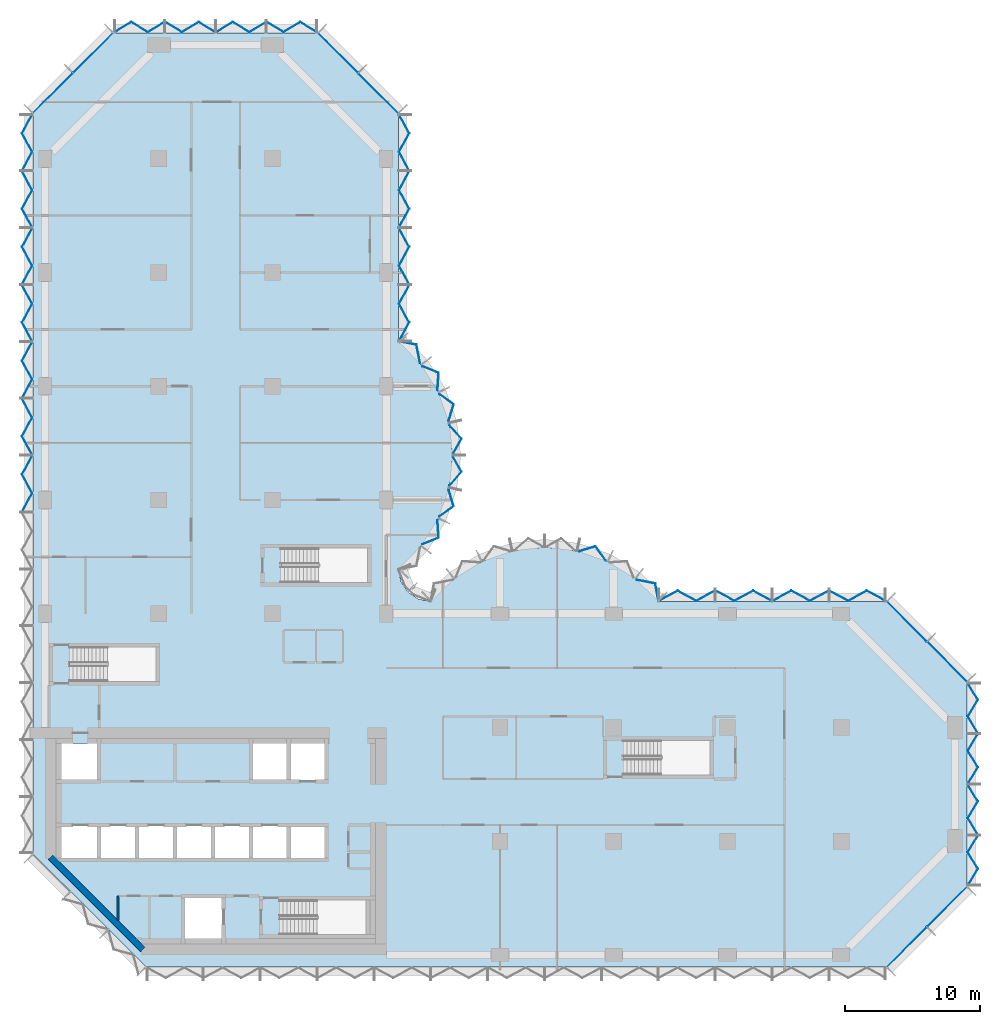
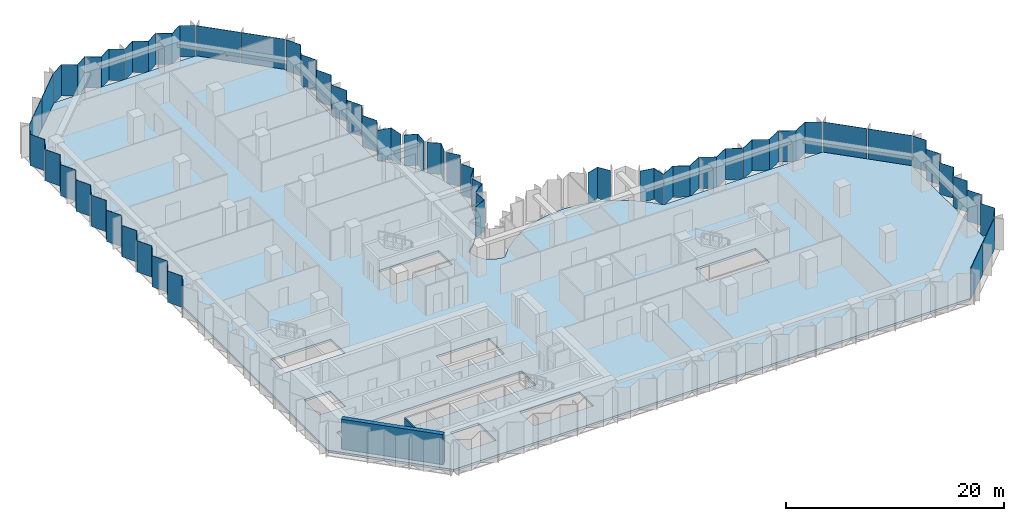
# One storey, part 6 of 13: 40 plates, 2 walls, 1 slab, 11 elements without a shape of their own.
"""IFC4 building model written with IfcOpenShell, lengths in metres."""

import ifcopenshell
import ifcopenshell.guid

model = None  # the IFC model being written
_history = None  # IfcOwnerHistory: only IFC2X3 demands one
_inside = {}  # id of a spatial element -> (the spatial element, [elements in it])
_under = {}  # id of a project, library or spatial element -> (it, [spatial elements below it])
_declared = {}  # id of a project -> (the project, [libraries it declares])
_typed = {}  # id of a type object -> (the type object, [elements of that type])
_made_of = {}  # id of a material, layer set ... -> (it, [elements and type objects made of it])


def new_model(schema):
    """Start an empty IFC model of exactly this schema.

    Asked for "IFC4X3", IfcOpenShell would pick the latest addendum, in which some entities
    have other attributes; the version numbers below select the first issue.
    IFC2X3 requires an IfcOwnerHistory on every rooted entity: one is made here for all.
    """
    global model, _history
    if schema == "IFC4X3":
        model = ifcopenshell.file(schema_version=(4, 3, 0, 0))
    else:
        model = ifcopenshell.file(schema=schema)
    _inside.clear()
    _under.clear()
    _declared.clear()
    _typed.clear()
    _made_of.clear()
    _history = None
    if model.schema == "IFC2X3":
        org = make("IfcOrganization", Name="unknown")
        user = make(
            "IfcPersonAndOrganization",
            ThePerson=make("IfcPerson", FamilyName="unknown"),
            TheOrganization=org,
        )
        app = make(
            "IfcApplication",
            ApplicationDeveloper=org,
            Version="unknown",
            ApplicationFullName="unknown",
            ApplicationIdentifier="unknown",
        )
        _history = make(
            "IfcOwnerHistory",
            OwningUser=user,
            OwningApplication=app,
            ChangeAction="ADDED",
            CreationDate=0,
        )
    return model


def make(cls, **values):
    """One entity of the class cls with the attributes given. An attribute that is None is left unset."""
    return model.create_entity(
        cls, **{name: value for name, value in values.items() if value is not None}
    )


def rooted(cls, **values):
    """An entity with a GlobalId (a new one), such as an element, a storey or a relation."""
    return make(cls, GlobalId=ifcopenshell.guid.new(), OwnerHistory=_history, **values)


def si_unit(unit_type, name, prefix=None):
    """IfcSIUnit, for example si_unit("LENGTHUNIT", "METRE", prefix="MILLI")."""
    return make("IfcSIUnit", UnitType=unit_type, Prefix=prefix, Name=name)


def assignment(units):
    """IfcUnitAssignment: the units of a project."""
    return None if units is None else make("IfcUnitAssignment", Units=units)


def point(xyz):
    """IfcCartesianPoint."""
    return None if xyz is None else make("IfcCartesianPoint", Coordinates=xyz)


def direction(xyz):
    """IfcDirection."""
    return None if xyz is None else make("IfcDirection", DirectionRatios=xyz)


def frame(location, z_axis=None, x_axis=None):
    """IfcAxis2Placement3D, a coordinate frame: its origin and axes. An axis left out is left unset."""
    return make(
        "IfcAxis2Placement3D",
        Location=point(location),
        Axis=direction(z_axis),
        RefDirection=direction(x_axis),
    )


def frame_2d(location, x_axis=None):
    """IfcAxis2Placement2D, a coordinate frame in the plane: its origin and x axis."""
    return make(
        "IfcAxis2Placement2D", Location=point(location), RefDirection=direction(x_axis)
    )


def origin():
    """The frame at (0, 0, 0) with its axes left unset."""
    return frame((0.0, 0.0, 0.0))


def place(relative_to, where):
    """IfcLocalPlacement: puts the frame where relative to a parent placement (None: the world)."""
    return make(
        "IfcLocalPlacement", PlacementRelTo=relative_to, RelativePlacement=where
    )


def context(
    kind, dimensions, precision=None, world=None, true_north=None, identifier=None
):
    """IfcGeometricRepresentationContext, for example the 3D "Model" context."""
    return make(
        "IfcGeometricRepresentationContext",
        ContextIdentifier=identifier,
        ContextType=kind,
        CoordinateSpaceDimension=dimensions,
        Precision=precision,
        WorldCoordinateSystem=world,
        TrueNorth=true_north,
    )


def subcontext(parent, identifier, kind, view, scale=None):
    """IfcGeometricRepresentationSubContext, for example "Body" below "Model"."""
    return make(
        "IfcGeometricRepresentationSubContext",
        ContextIdentifier=identifier,
        ContextType=kind,
        ParentContext=parent,
        TargetScale=scale,
        TargetView=view,
    )


def project(units=None, contexts=None):
    """IfcProject with its units and contexts."""
    return rooted(
        "IfcProject",
        Name="project",
        RepresentationContexts=contexts,
        UnitsInContext=assignment(units),
    )


def spatial(cls, under=None, at=None, **own):
    """A site, building, storey or space (cls), placed at a placement, below another one or the project."""
    s = rooted(cls, ObjectPlacement=at, **own)
    if under is not None:
        _under.setdefault(under.id(), (under, []))[1].append(s)
    return s


def polyline(points):
    """IfcPolyline through the points."""
    return make("IfcPolyline", Points=[point(p) for p in points])


def profile(cls, at=None, kind="AREA", **sizes):
    """A parametric profile (cls). Its sizes go by their IFC names, for example OverallWidth=200.0."""
    return make(cls, ProfileType=kind, Position=at, **sizes)


def rectangle(**sizes):
    """IfcRectangleProfileDef."""
    return profile("IfcRectangleProfileDef", **sizes)


def outline(outer, holes=None, kind="AREA"):
    """IfcArbitraryClosedProfileDef: a profile drawn as a closed curve; with holes, ...WithVoids."""
    if holes is None:
        return make("IfcArbitraryClosedProfileDef", ProfileType=kind, OuterCurve=outer)
    return make(
        "IfcArbitraryProfileDefWithVoids",
        ProfileType=kind,
        OuterCurve=outer,
        InnerCurves=holes,
    )


def extrude(swept, where, along, depth):
    """IfcExtrudedAreaSolid: the profile swept, set in the frame where, extruded along a direction by depth."""
    return make(
        "IfcExtrudedAreaSolid",
        SweptArea=swept,
        Position=where,
        ExtrudedDirection=direction(along),
        Depth=depth,
    )


def shape(context_of_items, identifier, shape_type, items):
    """IfcShapeRepresentation: the items that make up one representation, for example the "Body"."""
    return make(
        "IfcShapeRepresentation",
        ContextOfItems=context_of_items,
        RepresentationIdentifier=identifier,
        RepresentationType=shape_type,
        Items=items,
    )


def material(Name=None, Category=None):
    """IfcMaterial."""
    return make("IfcMaterial", Name=Name, Category=Category)


def layer(
    of_material, thickness, ventilated=None, Name=None, Category=None, Priority=None
):
    """IfcMaterialLayer: one layer of a wall or slab, of a material (None: an air gap)."""
    return make(
        "IfcMaterialLayer",
        Material=of_material,
        LayerThickness=thickness,
        IsVentilated=ventilated,
        Name=Name,
        Category=Category,
        Priority=Priority,
    )


def layer_set(layers, Name=None):
    """IfcMaterialLayerSet."""
    return make("IfcMaterialLayerSet", MaterialLayers=layers, LayerSetName=Name)


def made_of(thing, what):
    """Note that an element or type object is made of a material, layer set ...; save() writes the relation."""
    if what is not None:
        _made_of.setdefault(what.id(), (what, []))[1].append(thing)
    return thing


def type_object(cls, material=None, **own):
    """A type object (cls), such as IfcWallType, which elements share."""
    return made_of(rooted(cls, **own), material)


def element(
    cls,
    number,
    at=None,
    inside=None,
    cuts=None,
    type_object=None,
    material=None,
    context=None,
    identifier="Body",
    shape_type=None,
    held_by="IfcProductDefinitionShape",
    body=None,
    shapes=None,
    **own,
):
    """One element of the class cls, such as IfcWall. Its Tag is "e" and its number.

    at: its placement. inside: the storey or other place that contains it. cuts: it is an
    opening in that element (IfcRelVoidsElement). A single representation is given by context,
    identifier, shape_type and body (its items); several are given by shapes. held_by: the class
    of the entity that holds the representations. save() writes the other relations.
    """
    e = rooted(cls, Tag="e%d" % number, ObjectPlacement=at, **own)
    if body is not None:
        shapes = [shape(context, identifier, shape_type, body)]
    if shapes is not None:
        e.Representation = make(held_by, Representations=shapes)
    if inside is not None:
        _inside.setdefault(inside.id(), (inside, []))[1].append(e)
    if cuts is not None:
        rooted(
            "IfcRelVoidsElement", RelatingBuildingElement=cuts, RelatedOpeningElement=e
        )
    if type_object is not None:
        _typed.setdefault(type_object.id(), (type_object, []))[1].append(e)
    return made_of(e, material)


def aggregate(whole, parts):
    """IfcRelAggregates: a whole, such as a stair, and the parts it consists of."""
    return rooted("IfcRelAggregates", RelatingObject=whole, RelatedObjects=parts)


def save(model, path):
    """Write the relations noted so far, then the file.

    IfcRelAggregates (storeys below a building ...), IfcRelContainedInSpatialStructure (elements
    in a storey), IfcRelDefinesByType, IfcRelAssociatesMaterial and IfcRelDeclares: one each for
    every whole, place, type object, material and project.
    """
    for whole, parts in _under.values():
        aggregate(whole, parts)
    for where, things in _inside.values():
        rooted(
            "IfcRelContainedInSpatialStructure",
            RelatedElements=things,
            RelatingStructure=where,
        )
    for kind, things in _typed.values():
        rooted("IfcRelDefinesByType", RelatedObjects=things, RelatingType=kind)
    for what, things in _made_of.values():
        rooted("IfcRelAssociatesMaterial", RelatedObjects=things, RelatingMaterial=what)
    for by, libraries in _declared.values():
        rooted("IfcRelDeclares", RelatingContext=by, RelatedDefinitions=libraries)
    model.write(path)


model = new_model("IFC4")

# Units and contexts
model_context = context("Model", 3, precision=1e-05, world=origin(), true_north=direction((0.0, 1.0)))
body_context = subcontext(model_context, "Body", "Model", "MODEL_VIEW")
ifc_project = project(units=[si_unit("LENGTHUNIT", "METRE"), si_unit("AREAUNIT", "SQUARE_METRE"), si_unit("VOLUMEUNIT", "CUBIC_METRE"), si_unit("PLANEANGLEUNIT", "RADIAN"), si_unit("MASSUNIT", "GRAM", prefix="KILO")], contexts=[model_context])

# Site, building, storey
site_placement = place(None, origin())
site = spatial("IfcSite", under=ifc_project, at=site_placement, CompositionType="ELEMENT")
building_placement = place(site_placement, origin())
building = spatial("IfcBuilding", under=site, at=building_placement, Name="Brevane Broadcast Tower", CompositionType="ELEMENT")
storey_placement = place(building_placement, frame((0.0, 0.0, 98.89990234375)))
storey = spatial("IfcBuildingStorey", under=building, at=storey_placement, Name="L23", CompositionType="ELEMENT", Elevation=98.89990234375)

# Curtain wall, plates
ifc_material_1 = material(Name="Aluminium 6063-T6 bronze anodised", Category="aluminium")
curtain_wall_type = type_object("IfcCurtainWallType", Name="CW-1 curtain wall", PredefinedType="NOTDEFINED", material=ifc_material_1)
curtain_wall_1_placement = place(storey_placement, origin())
curtain_wall_1 = element("IfcCurtainWall", 1, at=curtain_wall_1_placement, inside=storey, type_object=curtain_wall_type, Name="CW-1 typical tilted unit L23 south-east chamfer", PredefinedType="NOTDEFINED")
ifc_material_2 = material(Name="Laminated glass bronze-tinted", Category="glass")
ifc_layer_1 = layer(ifc_material_2, 0.0400390625)
ifc_layer_set_1 = layer_set([ifc_layer_1], Name="CW tall glass panel 40")
plate_type = type_object("IfcPlateType", Name="CW tall glass panel 40", PredefinedType="CURTAIN_PANEL", material=ifc_layer_set_1)
plate_1_placement = place(storey_placement, frame((0.0, 0.0, -0.14990234375)))
plate_1 = element("IfcPlate", 2, at=plate_1_placement, type_object=plate_type, Name="CW-1 glass panel", PredefinedType="CURTAIN_PANEL", context=body_context, shape_type="SweptSolid", body=[
    extrude(outline(polyline([(62.14599609375, -0.896484375), (65.096435546875, 2.053955078125), (65.124755859375, 2.02587890625), (62.17431640625, -0.9248046875), (62.14599609375, -0.896484375)])), origin(), (0.0, 0.0, 1.0), 3.5),
])
plate_2_placement = place(storey_placement, frame((0.0, 0.0, -0.14990234375)))
plate_2 = element("IfcPlate", 3, at=plate_2_placement, type_object=plate_type, Name="CW-1 glass panel", PredefinedType="CURTAIN_PANEL", context=body_context, shape_type="SweptSolid", body=[
    extrude(outline(polyline([(65.14599609375, 2.103515625), (68.096435546875, 5.053955078125), (68.124755859375, 5.02587890625), (65.17431640625, 2.0751953125), (65.14599609375, 2.103515625)])), origin(), (0.0, 0.0, 1.0), 3.5),
])
aggregate(curtain_wall_1, [plate_1, plate_2])

curtain_wall_2_placement = place(storey_placement, origin())
curtain_wall_2 = element("IfcCurtainWall", 4, at=curtain_wall_2_placement, inside=storey, type_object=curtain_wall_type, Name="CW-1 typical tilted unit L23 east end", PredefinedType="NOTDEFINED")
plate_3_placement = place(storey_placement, frame((0.0, 0.0, -0.14990234375)))
plate_3 = element("IfcPlate", 5, at=plate_3_placement, type_object=plate_type, Name="CW-1 glass panel", PredefinedType="CURTAIN_PANEL", context=body_context, shape_type="SweptSolid", body=[
    extrude(outline(polyline([(68.126708984375, 5.135009765625), (68.17333984375, 5.135009765625), (68.917724609375, 6.36181640625), (68.17333984375, 7.58837890625), (68.917724609375, 8.81494140625), (68.87109375, 8.81494140625), (68.126708984375, 7.58837890625), (68.87109375, 6.36181640625), (68.126708984375, 5.135009765625)])), origin(), (0.0, 0.0, 1.0), 3.5),
])
plate_4_placement = place(storey_placement, frame((0.0, 0.0, -0.14990234375)))
plate_4 = element("IfcPlate", 6, at=plate_4_placement, type_object=plate_type, Name="CW-1 glass panel", PredefinedType="CURTAIN_PANEL", context=body_context, shape_type="SweptSolid", body=[
    extrude(outline(polyline([(68.87109375, 8.885009765625), (68.917724609375, 8.885009765625), (68.17333984375, 10.11181640625), (68.917724609375, 11.33837890625), (68.17333984375, 12.56494140625), (68.126708984375, 12.56494140625), (68.87109375, 11.33837890625), (68.126708984375, 10.11181640625), (68.87109375, 8.885009765625)])), origin(), (0.0, 0.0, 1.0), 3.5),
])
plate_5_placement = place(storey_placement, frame((0.0, 0.0, -0.14990234375)))
plate_5 = element("IfcPlate", 7, at=plate_5_placement, type_object=plate_type, Name="CW-1 glass panel", PredefinedType="CURTAIN_PANEL", context=body_context, shape_type="SweptSolid", body=[
    extrude(outline(polyline([(68.126708984375, 12.635009765625), (68.17333984375, 12.635009765625), (68.917724609375, 13.86181640625), (68.17333984375, 15.08837890625), (68.917724609375, 16.31494140625), (68.87109375, 16.31494140625), (68.126708984375, 15.08837890625), (68.87109375, 13.86181640625), (68.126708984375, 12.635009765625)])), origin(), (0.0, 0.0, 1.0), 3.5),
])
plate_6_placement = place(storey_placement, frame((0.0, 0.0, -0.14990234375)))
plate_6 = element("IfcPlate", 8, at=plate_6_placement, type_object=plate_type, Name="CW-1 glass panel", PredefinedType="CURTAIN_PANEL", context=body_context, shape_type="SweptSolid", body=[
    extrude(outline(polyline([(68.87109375, 16.385009765625), (68.917724609375, 16.385009765625), (68.17333984375, 17.61181640625), (68.917724609375, 18.83837890625), (68.17333984375, 20.06494140625), (68.126708984375, 20.06494140625), (68.87109375, 18.83837890625), (68.126708984375, 17.61181640625), (68.87109375, 16.385009765625)])), origin(), (0.0, 0.0, 1.0), 3.5),
])
aggregate(curtain_wall_2, [plate_3, plate_4, plate_5, plate_6])

curtain_wall_3_placement = place(storey_placement, origin())
curtain_wall_3 = element("IfcCurtainWall", 9, at=curtain_wall_3_placement, inside=storey, type_object=curtain_wall_type, Name="CW-1 typical tilted unit L23 north-east chamfer", PredefinedType="NOTDEFINED")
plate_7_placement = place(storey_placement, frame((0.0, 0.0, -0.14990234375)))
plate_7 = element("IfcPlate", 10, at=plate_7_placement, type_object=plate_type, Name="CW-1 glass panel", PredefinedType="CURTAIN_PANEL", context=body_context, shape_type="SweptSolid", body=[
    extrude(outline(polyline([(68.096435546875, 20.14599609375), (65.14599609375, 23.096435546875), (65.17431640625, 23.124755859375), (68.124755859375, 20.17431640625), (68.096435546875, 20.14599609375)])), origin(), (0.0, 0.0, 1.0), 3.5),
])
plate_8_placement = place(storey_placement, frame((0.0, 0.0, -0.14990234375)))
plate_8 = element("IfcPlate", 11, at=plate_8_placement, type_object=plate_type, Name="CW-1 glass panel", PredefinedType="CURTAIN_PANEL", context=body_context, shape_type="SweptSolid", body=[
    extrude(outline(polyline([(65.096435546875, 23.14599609375), (62.14599609375, 26.096435546875), (62.17431640625, 26.124755859375), (65.124755859375, 23.17431640625), (65.096435546875, 23.14599609375)])), origin(), (0.0, 0.0, 1.0), 3.5),
])
aggregate(curtain_wall_3, [plate_7, plate_8])

curtain_wall_4_placement = place(storey_placement, origin())
curtain_wall_4 = element("IfcCurtainWall", 12, at=curtain_wall_4_placement, inside=storey, type_object=curtain_wall_type, Name="CW-1 typical tilted unit L23 east arm north face", PredefinedType="NOTDEFINED")
plate_9_placement = place(storey_placement, frame((0.0, 0.0, -0.14990234375)))
plate_9 = element("IfcPlate", 13, at=plate_9_placement, type_object=plate_type, Name="CW-1 glass panel", PredefinedType="CURTAIN_PANEL", context=body_context, shape_type="SweptSolid", body=[
    extrude(outline(polyline([(62.06494140625, 26.127197265625), (62.06494140625, 26.172607421875), (60.688232421875, 26.9169921875), (59.311767578125, 26.172607421875), (57.93505859375, 26.9169921875), (57.93505859375, 26.87158203125), (59.311767578125, 26.127197265625), (60.688232421875, 26.87158203125), (62.06494140625, 26.127197265625)])), origin(), (0.0, 0.0, 1.0), 3.5),
])
plate_10_placement = place(storey_placement, frame((0.0, 0.0, -0.14990234375)))
plate_10 = element("IfcPlate", 14, at=plate_10_placement, type_object=plate_type, Name="CW-1 glass panel", PredefinedType="CURTAIN_PANEL", context=body_context, shape_type="SweptSolid", body=[
    extrude(outline(polyline([(57.864990234375, 26.87158203125), (57.864990234375, 26.9169921875), (56.48828125, 26.172607421875), (55.11181640625, 26.9169921875), (53.735107421875, 26.172607421875), (53.735107421875, 26.127197265625), (55.11181640625, 26.87158203125), (56.48828125, 26.127197265625), (57.864990234375, 26.87158203125)])), origin(), (0.0, 0.0, 1.0), 3.5),
])
plate_11_placement = place(storey_placement, frame((0.0, 0.0, -0.14990234375)))
plate_11 = element("IfcPlate", 15, at=plate_11_placement, type_object=plate_type, Name="CW-1 glass panel", PredefinedType="CURTAIN_PANEL", context=body_context, shape_type="SweptSolid", body=[
    extrude(outline(polyline([(53.6650390625, 26.127197265625), (53.6650390625, 26.172607421875), (52.288330078125, 26.9169921875), (50.91162109375, 26.172607421875), (49.534912109375, 26.9169921875), (49.534912109375, 26.87158203125), (50.91162109375, 26.127197265625), (52.288330078125, 26.87158203125), (53.6650390625, 26.127197265625)])), origin(), (0.0, 0.0, 1.0), 3.5),
])
plate_12_placement = place(storey_placement, frame((0.0, 0.0, -0.14990234375)))
plate_12 = element("IfcPlate", 16, at=plate_12_placement, type_object=plate_type, Name="CW-1 glass panel", PredefinedType="CURTAIN_PANEL", context=body_context, shape_type="SweptSolid", body=[
    extrude(outline(polyline([(49.465087890625, 26.87158203125), (49.465087890625, 26.9169921875), (48.08837890625, 26.172607421875), (46.711669921875, 26.9169921875), (45.3349609375, 26.172607421875), (45.3349609375, 26.127197265625), (46.711669921875, 26.87158203125), (48.08837890625, 26.127197265625), (49.465087890625, 26.87158203125)])), origin(), (0.0, 0.0, 1.0), 3.5),
])
aggregate(curtain_wall_4, [plate_9, plate_10, plate_11, plate_12])

curtain_wall_5_placement = place(storey_placement, origin())
curtain_wall_5 = element("IfcCurtainWall", 17, at=curtain_wall_5_placement, inside=storey, type_object=curtain_wall_type, Name="CW-1 typical tilted unit L23 east bow", PredefinedType="NOTDEFINED")
plate_13_placement = place(storey_placement, frame((0.0, 0.0, -0.14990234375)))
plate_13 = element("IfcPlate", 18, at=plate_13_placement, type_object=plate_type, Name="CW-1 glass panel", PredefinedType="CURTAIN_PANEL", context=body_context, shape_type="SweptSolid", body=[
    extrude(outline(polyline([(45.2939453125, 26.14404296875), (45.327880859375, 26.17919921875), (45.086181640625, 27.447265625), (43.738525390625, 27.71142578125), (43.7109375, 27.67626953125), (45.052001953125, 27.4130859375), (45.2939453125, 26.14404296875)])), origin(), (0.0, 0.0, 1.0), 3.5),
])
plate_14_placement = place(storey_placement, frame((0.0, 0.0, -0.14990234375)))
plate_14 = element("IfcPlate", 19, at=plate_14_placement, type_object=plate_type, Name="CW-1 glass panel", PredefinedType="CURTAIN_PANEL", context=body_context, shape_type="SweptSolid", body=[
    extrude(outline(polyline([(41.3994140625, 29.104248046875), (41.4189453125, 29.1455078125), (40.667724609375, 30.20166015625), (39.45068359375, 29.83349609375), (39.440185546875, 29.78857421875), (40.65185546875, 30.155029296875), (41.3994140625, 29.104248046875)])), origin(), (0.0, 0.0, 1.0), 3.5),
])
aggregate(curtain_wall_5, [plate_13, plate_14])

curtain_wall_6_placement = place(storey_placement, origin())
curtain_wall_6 = element("IfcCurtainWall", 20, at=curtain_wall_6_placement, inside=storey, type_object=curtain_wall_type, Name="CW-1 typical tilted unit L23 north bow", PredefinedType="NOTDEFINED")
plate_15_placement = place(storey_placement, frame((0.0, 0.0, -0.14990234375)))
plate_15 = element("IfcPlate", 21, at=plate_15_placement, type_object=plate_type, Name="CW-1 glass panel", PredefinedType="CURTAIN_PANEL", context=body_context, shape_type="SweptSolid", body=[
    extrude(outline(polyline([(27.8759765625, 30.343017578125), (27.912109375, 30.314697265625), (29.089111328125, 30.7958984375), (29.006591796875, 32.08935546875), (28.96533203125, 32.10888671875), (29.04736328125, 30.822265625), (27.8759765625, 30.343017578125)])), origin(), (0.0, 0.0, 1.0), 3.5),
])
plate_16_placement = place(storey_placement, frame((0.0, 0.0, -0.14990234375)))
plate_16 = element("IfcPlate", 22, at=plate_16_placement, type_object=plate_type, Name="CW-1 glass panel", PredefinedType="CURTAIN_PANEL", context=body_context, shape_type="SweptSolid", body=[
    extrude(outline(polyline([(29.104248046875, 32.400634765625), (29.1455078125, 32.381103515625), (30.20166015625, 33.132080078125), (29.83349609375, 34.349365234375), (29.78857421875, 34.359619140625), (30.155029296875, 33.148193359375), (29.104248046875, 32.400634765625)])), origin(), (0.0, 0.0, 1.0), 3.5),
])
plate_17_placement = place(storey_placement, frame((0.0, 0.0, -0.14990234375)))
plate_17 = element("IfcPlate", 23, at=plate_17_placement, type_object=plate_type, Name="CW-1 glass panel", PredefinedType="CURTAIN_PANEL", context=body_context, shape_type="SweptSolid", body=[
    extrude(outline(polyline([(29.859619140625, 34.6748046875), (29.903564453125, 34.664794921875), (30.779296875, 35.68310546875), (30.15869140625, 36.7919921875), (30.11279296875, 36.7919921875), (30.730712890625, 35.68798828125), (29.859619140625, 34.6748046875)])), origin(), (0.0, 0.0, 1.0), 3.5),
])
plate_18_placement = place(storey_placement, frame((0.0, 0.0, -0.14990234375)))
plate_18 = element("IfcPlate", 24, at=plate_18_placement, type_object=plate_type, Name="CW-1 glass panel", PredefinedType="CURTAIN_PANEL", context=body_context, shape_type="SweptSolid", body=[
    extrude(outline(polyline([(30.11279296875, 37.008056640625), (30.15869140625, 37.008056640625), (30.779296875, 38.116943359375), (29.903564453125, 39.13525390625), (29.859619140625, 39.125), (30.730712890625, 38.112060546875), (30.11279296875, 37.008056640625)])), origin(), (0.0, 0.0, 1.0), 3.5),
])
plate_19_placement = place(storey_placement, frame((0.0, 0.0, -0.14990234375)))
plate_19 = element("IfcPlate", 25, at=plate_19_placement, type_object=plate_type, Name="CW-1 glass panel", PredefinedType="CURTAIN_PANEL", context=body_context, shape_type="SweptSolid", body=[
    extrude(outline(polyline([(29.78857421875, 39.440185546875), (29.83349609375, 39.45068359375), (30.20166015625, 40.667724609375), (29.1455078125, 41.4189453125), (29.104248046875, 41.3994140625), (30.155029296875, 40.65185546875), (29.78857421875, 39.440185546875)])), origin(), (0.0, 0.0, 1.0), 3.5),
])
plate_20_placement = place(storey_placement, frame((0.0, 0.0, -0.14990234375)))
plate_20 = element("IfcPlate", 26, at=plate_20_placement, type_object=plate_type, Name="CW-1 glass panel", PredefinedType="CURTAIN_PANEL", context=body_context, shape_type="SweptSolid", body=[
    extrude(outline(polyline([(28.96533203125, 41.69091796875), (29.006591796875, 41.710693359375), (29.089111328125, 43.00390625), (27.912109375, 43.4853515625), (27.8759765625, 43.45703125), (29.04736328125, 42.977783203125), (28.96533203125, 41.69091796875)])), origin(), (0.0, 0.0, 1.0), 3.5),
])
plate_21_placement = place(storey_placement, frame((0.0, 0.0, -0.14990234375)))
plate_21 = element("IfcPlate", 27, at=plate_21_placement, type_object=plate_type, Name="CW-1 glass panel", PredefinedType="CURTAIN_PANEL", context=body_context, shape_type="SweptSolid", body=[
    extrude(outline(polyline([(27.67626953125, 43.7109375), (27.71142578125, 43.738525390625), (27.447265625, 45.086181640625), (26.17919921875, 45.327880859375), (26.14404296875, 45.2939453125), (27.4130859375, 45.052001953125), (27.67626953125, 43.7109375)])), origin(), (0.0, 0.0, 1.0), 3.5),
])
aggregate(curtain_wall_6, [plate_15, plate_16, plate_17, plate_18, plate_19, plate_20, plate_21])

curtain_wall_7_placement = place(storey_placement, origin())
curtain_wall_7 = element("IfcCurtainWall", 28, at=curtain_wall_7_placement, inside=storey, type_object=curtain_wall_type, Name="CW-1 typical tilted unit L23 north arm east face", PredefinedType="NOTDEFINED")
plate_22_placement = place(storey_placement, frame((0.0, 0.0, -0.14990234375)))
plate_22 = element("IfcPlate", 29, at=plate_22_placement, type_object=plate_type, Name="CW-1 glass panel", PredefinedType="CURTAIN_PANEL", context=body_context, shape_type="SweptSolid", body=[
    extrude(outline(polyline([(26.127197265625, 45.3349609375), (26.172607421875, 45.3349609375), (26.9169921875, 46.711669921875), (26.172607421875, 48.08837890625), (26.9169921875, 49.465087890625), (26.87158203125, 49.465087890625), (26.127197265625, 48.08837890625), (26.87158203125, 46.711669921875), (26.127197265625, 45.3349609375)])), origin(), (0.0, 0.0, 1.0), 3.5),
])
plate_23_placement = place(storey_placement, frame((0.0, 0.0, -0.14990234375)))
plate_23 = element("IfcPlate", 30, at=plate_23_placement, type_object=plate_type, Name="CW-1 glass panel", PredefinedType="CURTAIN_PANEL", context=body_context, shape_type="SweptSolid", body=[
    extrude(outline(polyline([(26.87158203125, 49.534912109375), (26.9169921875, 49.534912109375), (26.172607421875, 50.91162109375), (26.9169921875, 52.288330078125), (26.172607421875, 53.6650390625), (26.127197265625, 53.6650390625), (26.87158203125, 52.288330078125), (26.127197265625, 50.91162109375), (26.87158203125, 49.534912109375)])), origin(), (0.0, 0.0, 1.0), 3.5),
])
plate_24_placement = place(storey_placement, frame((0.0, 0.0, -0.14990234375)))
plate_24 = element("IfcPlate", 31, at=plate_24_placement, type_object=plate_type, Name="CW-1 glass panel", PredefinedType="CURTAIN_PANEL", context=body_context, shape_type="SweptSolid", body=[
    extrude(outline(polyline([(26.127197265625, 53.735107421875), (26.172607421875, 53.735107421875), (26.9169921875, 55.11181640625), (26.172607421875, 56.48828125), (26.9169921875, 57.864990234375), (26.87158203125, 57.864990234375), (26.127197265625, 56.48828125), (26.87158203125, 55.11181640625), (26.127197265625, 53.735107421875)])), origin(), (0.0, 0.0, 1.0), 3.5),
])
plate_25_placement = place(storey_placement, frame((0.0, 0.0, -0.14990234375)))
plate_25 = element("IfcPlate", 32, at=plate_25_placement, type_object=plate_type, Name="CW-1 glass panel", PredefinedType="CURTAIN_PANEL", context=body_context, shape_type="SweptSolid", body=[
    extrude(outline(polyline([(26.87158203125, 57.93505859375), (26.9169921875, 57.93505859375), (26.172607421875, 59.311767578125), (26.9169921875, 60.688232421875), (26.172607421875, 62.06494140625), (26.127197265625, 62.06494140625), (26.87158203125, 60.688232421875), (26.127197265625, 59.311767578125), (26.87158203125, 57.93505859375)])), origin(), (0.0, 0.0, 1.0), 3.5),
])
aggregate(curtain_wall_7, [plate_22, plate_23, plate_24, plate_25])

curtain_wall_8_placement = place(storey_placement, origin())
curtain_wall_8 = element("IfcCurtainWall", 33, at=curtain_wall_8_placement, inside=storey, type_object=curtain_wall_type, Name="CW-1 typical tilted unit L23 north arm north-east chamfer", PredefinedType="NOTDEFINED")
plate_26_placement = place(storey_placement, frame((0.0, 0.0, -0.14990234375)))
plate_26 = element("IfcPlate", 34, at=plate_26_placement, type_object=plate_type, Name="CW-1 glass panel", PredefinedType="CURTAIN_PANEL", context=body_context, shape_type="SweptSolid", body=[
    extrude(outline(polyline([(26.096435546875, 62.14599609375), (23.14599609375, 65.096435546875), (23.17431640625, 65.124755859375), (26.124755859375, 62.17431640625), (26.096435546875, 62.14599609375)])), origin(), (0.0, 0.0, 1.0), 3.5),
])
plate_27_placement = place(storey_placement, frame((0.0, 0.0, -0.14990234375)))
plate_27 = element("IfcPlate", 35, at=plate_27_placement, type_object=plate_type, Name="CW-1 glass panel", PredefinedType="CURTAIN_PANEL", context=body_context, shape_type="SweptSolid", body=[
    extrude(outline(polyline([(23.096435546875, 65.14599609375), (20.14599609375, 68.096435546875), (20.17431640625, 68.124755859375), (23.124755859375, 65.17431640625), (23.096435546875, 65.14599609375)])), origin(), (0.0, 0.0, 1.0), 3.5),
])
aggregate(curtain_wall_8, [plate_26, plate_27])

curtain_wall_9_placement = place(storey_placement, origin())
curtain_wall_9 = element("IfcCurtainWall", 36, at=curtain_wall_9_placement, inside=storey, type_object=curtain_wall_type, Name="CW-1 typical tilted unit L23 north end", PredefinedType="NOTDEFINED")
plate_28_placement = place(storey_placement, frame((0.0, 0.0, -0.14990234375)))
plate_28 = element("IfcPlate", 37, at=plate_28_placement, type_object=plate_type, Name="CW-1 glass panel", PredefinedType="CURTAIN_PANEL", context=body_context, shape_type="SweptSolid", body=[
    extrude(outline(polyline([(20.06494140625, 68.126708984375), (20.06494140625, 68.17333984375), (18.83837890625, 68.917724609375), (17.61181640625, 68.17333984375), (16.385009765625, 68.917724609375), (16.385009765625, 68.87109375), (17.61181640625, 68.126708984375), (18.83837890625, 68.87109375), (20.06494140625, 68.126708984375)])), origin(), (0.0, 0.0, 1.0), 3.5),
])
plate_29_placement = place(storey_placement, frame((0.0, 0.0, -0.14990234375)))
plate_29 = element("IfcPlate", 38, at=plate_29_placement, type_object=plate_type, Name="CW-1 glass panel", PredefinedType="CURTAIN_PANEL", context=body_context, shape_type="SweptSolid", body=[
    extrude(outline(polyline([(16.31494140625, 68.87109375), (16.31494140625, 68.917724609375), (15.08837890625, 68.17333984375), (13.86181640625, 68.917724609375), (12.635009765625, 68.17333984375), (12.635009765625, 68.126708984375), (13.86181640625, 68.87109375), (15.08837890625, 68.126708984375), (16.31494140625, 68.87109375)])), origin(), (0.0, 0.0, 1.0), 3.5),
])
plate_30_placement = place(storey_placement, frame((0.0, 0.0, -0.14990234375)))
plate_30 = element("IfcPlate", 39, at=plate_30_placement, type_object=plate_type, Name="CW-1 glass panel", PredefinedType="CURTAIN_PANEL", context=body_context, shape_type="SweptSolid", body=[
    extrude(outline(polyline([(12.56494140625, 68.126708984375), (12.56494140625, 68.17333984375), (11.33837890625, 68.917724609375), (10.11181640625, 68.17333984375), (8.885009765625, 68.917724609375), (8.885009765625, 68.87109375), (10.11181640625, 68.126708984375), (11.33837890625, 68.87109375), (12.56494140625, 68.126708984375)])), origin(), (0.0, 0.0, 1.0), 3.5),
])
plate_31_placement = place(storey_placement, frame((0.0, 0.0, -0.14990234375)))
plate_31 = element("IfcPlate", 40, at=plate_31_placement, type_object=plate_type, Name="CW-1 glass panel", PredefinedType="CURTAIN_PANEL", context=body_context, shape_type="SweptSolid", body=[
    extrude(outline(polyline([(8.81494140625, 68.87109375), (8.81494140625, 68.917724609375), (7.58837890625, 68.17333984375), (6.36181640625, 68.917724609375), (5.135009765625, 68.17333984375), (5.135009765625, 68.126708984375), (6.36181640625, 68.87109375), (7.58837890625, 68.126708984375), (8.81494140625, 68.87109375)])), origin(), (0.0, 0.0, 1.0), 3.5),
])
aggregate(curtain_wall_9, [plate_28, plate_29, plate_30, plate_31])

curtain_wall_10_placement = place(storey_placement, origin())
curtain_wall_10 = element("IfcCurtainWall", 41, at=curtain_wall_10_placement, inside=storey, type_object=curtain_wall_type, Name="CW-1 typical tilted unit L23 north-west chamfer", PredefinedType="NOTDEFINED")
plate_32_placement = place(storey_placement, frame((0.0, 0.0, -0.14990234375)))
plate_32 = element("IfcPlate", 42, at=plate_32_placement, type_object=plate_type, Name="CW-1 glass panel", PredefinedType="CURTAIN_PANEL", context=body_context, shape_type="SweptSolid", body=[
    extrude(outline(polyline([(5.053955078125, 68.096435546875), (2.103515625, 65.14599609375), (2.0751953125, 65.17431640625), (5.02587890625, 68.124755859375), (5.053955078125, 68.096435546875)])), origin(), (0.0, 0.0, 1.0), 3.5),
])
plate_33_placement = place(storey_placement, frame((0.0, 0.0, -0.14990234375)))
plate_33 = element("IfcPlate", 43, at=plate_33_placement, type_object=plate_type, Name="CW-1 glass panel", PredefinedType="CURTAIN_PANEL", context=body_context, shape_type="SweptSolid", body=[
    extrude(outline(polyline([(2.053955078125, 65.096435546875), (-0.896484375, 62.14599609375), (-0.9248046875, 62.17431640625), (2.02587890625, 65.124755859375), (2.053955078125, 65.096435546875)])), origin(), (0.0, 0.0, 1.0), 3.5),
])
aggregate(curtain_wall_10, [plate_32, plate_33])

curtain_wall_11_placement = place(storey_placement, origin())
curtain_wall_11 = element("IfcCurtainWall", 44, at=curtain_wall_11_placement, inside=storey, type_object=curtain_wall_type, Name="CW-1 typical tilted unit L23 west face", PredefinedType="NOTDEFINED")
plate_34_placement = place(storey_placement, frame((0.0, 0.0, -0.14990234375)))
plate_34 = element("IfcPlate", 45, at=plate_34_placement, type_object=plate_type, Name="CW-1 glass panel", PredefinedType="CURTAIN_PANEL", context=body_context, shape_type="SweptSolid", body=[
    extrude(outline(polyline([(-0.92724609375, 62.06494140625), (-0.97265625, 62.06494140625), (-1.717041015625, 60.688232421875), (-0.97265625, 59.311767578125), (-1.717041015625, 57.93505859375), (-1.671630859375, 57.93505859375), (-0.92724609375, 59.311767578125), (-1.671630859375, 60.688232421875), (-0.92724609375, 62.06494140625)])), origin(), (0.0, 0.0, 1.0), 3.5),
])
plate_35_placement = place(storey_placement, frame((0.0, 0.0, -0.14990234375)))
plate_35 = element("IfcPlate", 46, at=plate_35_placement, type_object=plate_type, Name="CW-1 glass panel", PredefinedType="CURTAIN_PANEL", context=body_context, shape_type="SweptSolid", body=[
    extrude(outline(polyline([(-1.671630859375, 57.864990234375), (-1.717041015625, 57.864990234375), (-0.97265625, 56.48828125), (-1.717041015625, 55.11181640625), (-0.97265625, 53.735107421875), (-0.92724609375, 53.735107421875), (-1.671630859375, 55.11181640625), (-0.92724609375, 56.48828125), (-1.671630859375, 57.864990234375)])), origin(), (0.0, 0.0, 1.0), 3.5),
])
plate_36_placement = place(storey_placement, frame((0.0, 0.0, -0.14990234375)))
plate_36 = element("IfcPlate", 47, at=plate_36_placement, type_object=plate_type, Name="CW-1 glass panel", PredefinedType="CURTAIN_PANEL", context=body_context, shape_type="SweptSolid", body=[
    extrude(outline(polyline([(-0.92724609375, 53.6650390625), (-0.97265625, 53.6650390625), (-1.717041015625, 52.288330078125), (-0.97265625, 50.91162109375), (-1.717041015625, 49.534912109375), (-1.671630859375, 49.534912109375), (-0.92724609375, 50.91162109375), (-1.671630859375, 52.288330078125), (-0.92724609375, 53.6650390625)])), origin(), (0.0, 0.0, 1.0), 3.5),
])
plate_37_placement = place(storey_placement, frame((0.0, 0.0, -0.14990234375)))
plate_37 = element("IfcPlate", 48, at=plate_37_placement, type_object=plate_type, Name="CW-1 glass panel", PredefinedType="CURTAIN_PANEL", context=body_context, shape_type="SweptSolid", body=[
    extrude(outline(polyline([(-1.671630859375, 49.465087890625), (-1.717041015625, 49.465087890625), (-0.97265625, 48.08837890625), (-1.717041015625, 46.711669921875), (-0.97265625, 45.3349609375), (-0.92724609375, 45.3349609375), (-1.671630859375, 46.711669921875), (-0.92724609375, 48.08837890625), (-1.671630859375, 49.465087890625)])), origin(), (0.0, 0.0, 1.0), 3.5),
])
plate_38_placement = place(storey_placement, frame((0.0, 0.0, -0.14990234375)))
plate_38 = element("IfcPlate", 49, at=plate_38_placement, type_object=plate_type, Name="CW-1 glass panel", PredefinedType="CURTAIN_PANEL", context=body_context, shape_type="SweptSolid", body=[
    extrude(outline(polyline([(-0.92724609375, 45.264892578125), (-0.97265625, 45.264892578125), (-1.717041015625, 43.88818359375), (-0.97265625, 42.51171875), (-1.717041015625, 41.135009765625), (-1.671630859375, 41.135009765625), (-0.92724609375, 42.51171875), (-1.671630859375, 43.88818359375), (-0.92724609375, 45.264892578125)])), origin(), (0.0, 0.0, 1.0), 3.5),
])
plate_39_placement = place(storey_placement, frame((0.0, 0.0, -0.14990234375)))
plate_39 = element("IfcPlate", 50, at=plate_39_placement, type_object=plate_type, Name="CW-1 glass panel", PredefinedType="CURTAIN_PANEL", context=body_context, shape_type="SweptSolid", body=[
    extrude(outline(polyline([(-1.671630859375, 41.06494140625), (-1.717041015625, 41.06494140625), (-0.97265625, 39.688232421875), (-1.717041015625, 38.311767578125), (-0.97265625, 36.93505859375), (-0.92724609375, 36.93505859375), (-1.671630859375, 38.311767578125), (-0.92724609375, 39.688232421875), (-1.671630859375, 41.06494140625)])), origin(), (0.0, 0.0, 1.0), 3.5),
])
plate_40_placement = place(storey_placement, frame((0.0, 0.0, -0.14990234375)))
plate_40 = element("IfcPlate", 51, at=plate_40_placement, type_object=plate_type, Name="CW-1 glass panel", PredefinedType="CURTAIN_PANEL", context=body_context, shape_type="SweptSolid", body=[
    extrude(outline(polyline([(-0.92724609375, 36.864990234375), (-0.97265625, 36.864990234375), (-1.717041015625, 35.48828125), (-0.97265625, 34.11181640625), (-1.717041015625, 32.735107421875), (-1.671630859375, 32.735107421875), (-0.92724609375, 34.11181640625), (-1.671630859375, 35.48828125), (-0.92724609375, 36.864990234375)])), origin(), (0.0, 0.0, 1.0), 3.5),
])
aggregate(curtain_wall_11, [plate_34, plate_35, plate_36, plate_37, plate_38, plate_39, plate_40])

# Slab
ifc_material_3 = material(Name="Concrete C40/50", Category="concrete")
ifc_layer_2 = layer(ifc_material_3, 0.25)
ifc_layer_set_2 = layer_set([ifc_layer_2], Name="RC FLOOR SLAB 250 C40/50")
slab_type = type_object("IfcSlabType", Name="RC FLOOR SLAB 250 C40/50", PredefinedType="FLOOR", material=ifc_layer_set_2)
slab_placement = place(storey_placement, frame((0.0, 0.0, -0.25)))
element("IfcSlab", 52, at=slab_placement, inside=storey, type_object=slab_type, Name="SL250 L23", PredefinedType="FLOOR", context=body_context, shape_type="SweptSolid", body=[
    extrude(outline(polyline([(-0.89990234375, 7.5), (-0.89990234375, 62.10009765625), (5.10009765625, 68.10009765625), (20.10009765625, 68.10009765625), (26.10009765625, 62.10009765625), (26.10009765625, 45.300048828125), (27.10888671875, 44.36865234375), (27.99169921875, 43.317138671875), (28.734130859375, 42.162353515625), (29.324462890625, 40.922607421875), (29.7529296875, 39.618408203125), (30.012939453125, 38.270263671875), (30.10009765625, 36.89990234375), (30.012939453125, 35.52978515625), (29.7529296875, 34.181640625), (29.324462890625, 32.877197265625), (28.734130859375, 31.6376953125), (27.99169921875, 30.48291015625), (27.10888671875, 29.431396484375), (26.10009765625, 28.5), (26.28271484375, 27.58154296875), (26.802978515625, 26.802978515625), (27.58154296875, 26.28271484375), (28.5, 26.10009765625), (29.431396484375, 27.10888671875), (30.48291015625, 27.99169921875), (31.6376953125, 28.734130859375), (32.877197265625, 29.324462890625), (34.181640625, 29.7529296875), (35.52978515625, 30.012939453125), (36.89990234375, 30.10009765625), (38.270263671875, 30.012939453125), (39.618408203125, 29.7529296875), (40.922607421875, 29.324462890625), (42.162353515625, 28.734130859375), (43.317138671875, 27.99169921875), (44.36865234375, 27.10888671875), (45.300048828125, 26.10009765625), (62.10009765625, 26.10009765625), (68.10009765625, 20.10009765625), (68.10009765625, 5.10009765625), (62.10009765625, -0.89990234375), (7.5, -0.89990234375), (-0.89990234375, 7.5)]), holes=[polyline([(13.199951171875, 4.39990234375), (10.199951171875, 4.39990234375), (10.199951171875, 1.199951171875), (13.199951171875, 1.199951171875), (13.199951171875, 4.39990234375)]), polyline([(4.0, 9.60009765625), (1.199951171875, 9.60009765625), (1.199951171875, 7.0), (4.0, 7.0), (6.800048828125, 7.0), (9.60009765625, 7.0), (12.39990234375, 7.0), (15.199951171875, 7.0), (18.0, 7.0), (20.800048828125, 7.0), (20.800048828125, 9.60009765625), (18.0, 9.60009765625), (15.199951171875, 9.60009765625), (12.39990234375, 9.60009765625), (9.60009765625, 9.60009765625), (6.800048828125, 9.60009765625), (4.0, 9.60009765625)]), polyline([(4.0, 12.800048828125), (4.0, 15.60009765625), (1.199951171875, 15.60009765625), (1.199951171875, 12.800048828125), (4.0, 12.800048828125)]), polyline([(8.199951171875, 22.75), (1.860107421875, 22.75), (1.860107421875, 20.199951171875), (8.199951171875, 20.199951171875), (8.199951171875, 22.75)]), polyline([(23.699951171875, 4.050048828125), (17.360107421875, 4.050048828125), (17.360107421875, 1.5), (23.699951171875, 1.5), (23.699951171875, 4.050048828125)]), polyline([(18.0, 15.60009765625), (15.199951171875, 15.60009765625), (15.199951171875, 12.800048828125), (18.0, 12.800048828125), (20.800048828125, 12.800048828125), (20.800048828125, 15.60009765625), (18.0, 15.60009765625)]), polyline([(49.10009765625, 15.85009765625), (42.760009765625, 15.85009765625), (42.760009765625, 13.300048828125), (49.10009765625, 13.300048828125), (49.10009765625, 15.85009765625)]), polyline([(23.800048828125, 30.050048828125), (17.4599609375, 30.050048828125), (17.4599609375, 27.5), (23.800048828125, 27.5), (23.800048828125, 30.050048828125)])]), origin(), (0.0, 0.0, 1.0), 0.25),
])

# Walls
ifc_material_4 = material(Name="Gypsum board on steel studs", Category="steel")
ifc_layer_3 = layer(ifc_material_4, 0.14990234375)
ifc_layer_set_3 = layer_set([ifc_layer_3], Name="Core fire partition 150 mm")
wall_type_1 = type_object("IfcWallType", Name="Core fire partition 150 mm", PredefinedType="PARTITIONING", material=ifc_layer_set_3)
wall_1_placement = place(storey_placement, frame((5.39990234375, 2.553466796875, 0.0), z_axis=(0.0, 0.0, 1.0), x_axis=(0.0, 1.0, 0.0)))
element("IfcWall", 53, at=wall_1_placement, inside=storey, type_object=wall_type_1, Name="L23 partition wall P10", PredefinedType="PARTITIONING", context=body_context, shape_type="SweptSolid", body=[
    extrude(rectangle(XDim=1.796630859375, YDim=0.14990234375, at=frame_2d((0.8984375, 0.0))), origin(), (0.0, 0.0, 1.0), 3.35009765625),
])
ifc_material_5 = material(Name="Concrete C60/75", Category="concrete")
ifc_layer_4 = layer(ifc_material_5, 0.449951171875)
ifc_layer_set_4 = layer_set([ifc_layer_4], Name="Core wall 450 mm C60/75")
wall_type_2 = type_object("IfcWallType", Name="Core wall 450 mm C60/75", PredefinedType="SHEAR", material=ifc_layer_set_4)
wall_2_placement = place(storey_placement, frame((0.39990234375, 7.21826171875, 0.0), z_axis=(0.0, 0.0, 1.0), x_axis=(0.707106781187, -0.707106781187, 0.0)))
element("IfcWall", 54, at=wall_2_placement, inside=storey, type_object=wall_type_2, Name="L23 outer wall WC", PredefinedType="SHEAR", context=body_context, shape_type="SweptSolid", body=[
    extrude(rectangle(XDim=9.642578125, YDim=0.449951171875, at=frame_2d((4.8212890625, 0.0))), origin(), (0.0, 0.0, 1.0), 3.35009765625),
])

save(model, "model.ifc")
